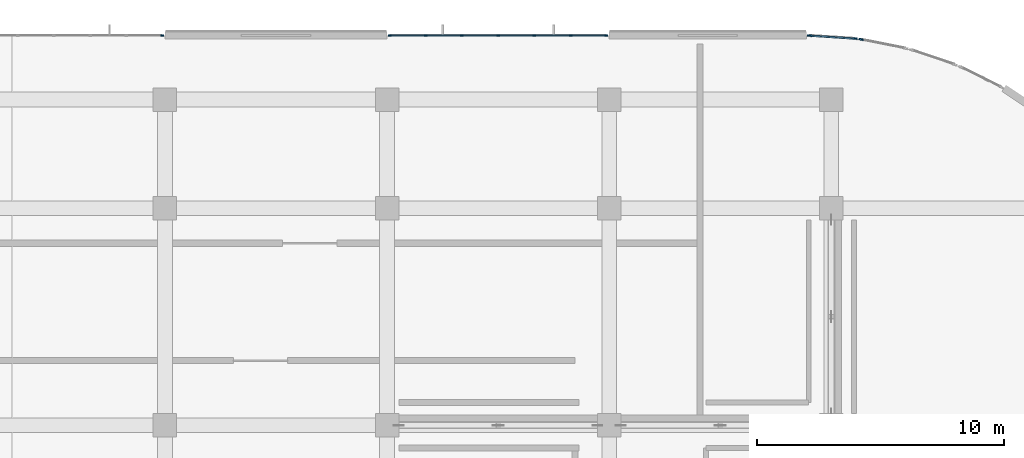
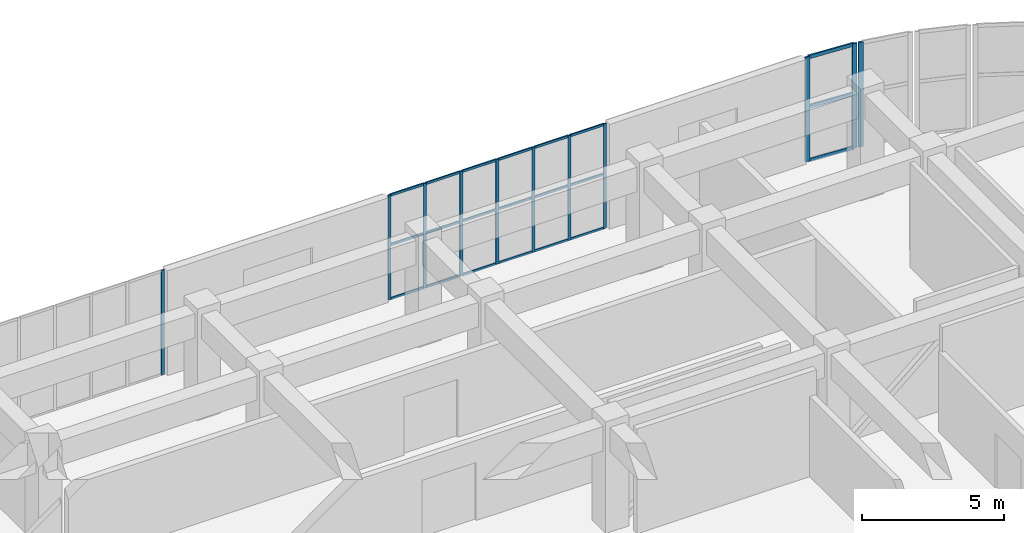
# One storey, part 41 of 86: 32 members, 4 elements without a shape of their own.
"""IFC4 building model written with IfcOpenShell, lengths in metres."""

from ifc_helpers import new_model, si_unit, direction, frame, origin, origin_2d, place, context, subcontext, project, spatial, rectangle, extrude, material, layer, layer_set, material_profile, profile_set, type_object, element, aggregate, save


model = new_model("IFC4")

# Units and contexts
model_context = context("Model", 3, precision=1e-05, world=origin(), true_north=direction((0.0, 1.0)))
body_context = subcontext(model_context, "Body", "Model", "MODEL_VIEW")
ifc_project = project(units=[si_unit("LENGTHUNIT", "METRE"), si_unit("AREAUNIT", "SQUARE_METRE"), si_unit("VOLUMEUNIT", "CUBIC_METRE"), si_unit("PLANEANGLEUNIT", "RADIAN"), si_unit("MASSUNIT", "GRAM", prefix="KILO")], contexts=[model_context])

# Site, building, storey
site_placement = place(None, origin())
site = spatial("IfcSite", under=ifc_project, at=site_placement, CompositionType="ELEMENT")
building_placement = place(site_placement, origin())
building = spatial("IfcBuilding", under=site, at=building_placement, Name="Cendralis Terraced Arcade", CompositionType="ELEMENT")
storey_placement = place(building_placement, frame((0.0, 0.0, 5.39990234375)))
storey = spatial("IfcBuildingStorey", under=building, at=storey_placement, Name="L01", CompositionType="ELEMENT", Elevation=5.39990234375)

# Curtain wall, member
ifc_material = material(Name="Anodised aluminium EN AW-6063 T6", Category="aluminium")
ifc_layer_1 = layer(ifc_material, 0.1201171875, Name="CW-STORE-B")
ifc_layer_set_1 = layer_set([ifc_layer_1], Name="Anodised aluminium EN AW-6063 T6")
curtain_wall_type_1 = type_object("IfcCurtainWallType", Name="CW-STORE-B", PredefinedType="USERDEFINED", material=ifc_layer_set_1)
curtain_wall_1_placement = place(storey_placement, origin())
curtain_wall_1 = element("IfcCurtainWall", 1, at=curtain_wall_1_placement, inside=storey, type_object=curtain_wall_type_1, Name="Exterior Storefront Glazing CW-L01-0054", ObjectType="STOREFRONT GLAZING", PredefinedType="USERDEFINED")
ifc_material_profile_1 = material_profile(ifc_material, rectangle(XDim=0.054931640625, YDim=0.1201171875, at=origin_2d()), Name="ALU-MUL-55x120")
ifc_profile_set_1 = profile_set([ifc_material_profile_1], Name="Anodised aluminium EN AW-6063 T6")
member_type_1 = type_object("IfcMemberType", Name="CW-STORE-B-MUL", PredefinedType="MULLION", material=ifc_profile_set_1)
member_1_placement = place(storey_placement, frame((130.08251953125, 114.199951171875, 0.0), z_axis=(0.0, 0.0, 1.0), x_axis=(0.0, 1.0, 0.0)))
member_1 = element("IfcMember", 2, at=member_1_placement, type_object=member_type_1, Name="CW-S2 mullion 7", PredefinedType="MULLION", context=body_context, shape_type="SweptSolid", body=[
    extrude(rectangle(XDim=0.054931640625, YDim=0.1201171875, at=origin_2d()), origin(), (0.0, 0.0, 1.0), 4.505126953125),
])
aggregate(curtain_wall_1, [member_1])

# Curtain wall, members
curtain_wall_2_placement = place(storey_placement, origin())
curtain_wall_2 = element("IfcCurtainWall", 3, at=curtain_wall_2_placement, inside=storey, type_object=curtain_wall_type_1, Name="Exterior Storefront Glazing CW-L01-0055", ObjectType="STOREFRONT GLAZING", PredefinedType="USERDEFINED")
member_2_placement = place(storey_placement, frame((139.3173828125, 114.199951171875, 0.0), z_axis=(0.0, 0.0, 1.0), x_axis=(0.0, 1.0, 0.0)))
member_2 = element("IfcMember", 4, at=member_2_placement, type_object=member_type_1, Name="CW-S2 mullion 1", PredefinedType="MULLION", context=body_context, shape_type="SweptSolid", body=[
    extrude(rectangle(XDim=0.054931640625, YDim=0.1201171875, at=origin_2d()), origin(), (0.0, 0.0, 1.0), 4.505126953125),
])
member_3_placement = place(storey_placement, frame((140.760009765625, 114.199951171875, 0.0), z_axis=(0.0, 0.0, 1.0), x_axis=(0.0, 1.0, 0.0)))
member_3 = element("IfcMember", 5, at=member_3_placement, type_object=member_type_1, Name="CW-S2 mullion 2", PredefinedType="MULLION", context=body_context, shape_type="SweptSolid", body=[
    extrude(rectangle(XDim=0.054931640625, YDim=0.1201171875, at=origin_2d()), origin(), (0.0, 0.0, 1.0), 4.505126953125),
])
member_4_placement = place(storey_placement, frame((142.22998046875, 114.199951171875, 0.0), z_axis=(0.0, 0.0, 1.0), x_axis=(0.0, 1.0, 0.0)))
member_4 = element("IfcMember", 6, at=member_4_placement, type_object=member_type_1, Name="CW-S2 mullion 3", PredefinedType="MULLION", context=body_context, shape_type="SweptSolid", body=[
    extrude(rectangle(XDim=0.054931640625, YDim=0.1201171875, at=origin_2d()), origin(), (0.0, 0.0, 1.0), 4.505126953125),
])
member_5_placement = place(storey_placement, frame((143.699951171875, 114.199951171875, 0.0), z_axis=(0.0, 0.0, 1.0), x_axis=(0.0, 1.0, 0.0)))
member_5 = element("IfcMember", 7, at=member_5_placement, type_object=member_type_1, Name="CW-S2 mullion 4", PredefinedType="MULLION", context=body_context, shape_type="SweptSolid", body=[
    extrude(rectangle(XDim=0.054931640625, YDim=0.1201171875, at=origin_2d()), origin(), (0.0, 0.0, 1.0), 4.505126953125),
])
member_6_placement = place(storey_placement, frame((145.169921875, 114.199951171875, 0.0), z_axis=(0.0, 0.0, 1.0), x_axis=(0.0, 1.0, 0.0)))
member_6 = element("IfcMember", 8, at=member_6_placement, type_object=member_type_1, Name="CW-S2 mullion 5", PredefinedType="MULLION", context=body_context, shape_type="SweptSolid", body=[
    extrude(rectangle(XDim=0.054931640625, YDim=0.1201171875, at=origin_2d()), origin(), (0.0, 0.0, 1.0), 4.505126953125),
])
member_7_placement = place(storey_placement, frame((146.639892578125, 114.199951171875, 0.0), z_axis=(0.0, 0.0, 1.0), x_axis=(0.0, 1.0, 0.0)))
member_7 = element("IfcMember", 9, at=member_7_placement, type_object=member_type_1, Name="CW-S2 mullion 6", PredefinedType="MULLION", context=body_context, shape_type="SweptSolid", body=[
    extrude(rectangle(XDim=0.054931640625, YDim=0.1201171875, at=origin_2d()), origin(), (0.0, 0.0, 1.0), 4.505126953125),
])
member_8_placement = place(storey_placement, frame((148.08251953125, 114.199951171875, 0.0), z_axis=(0.0, 0.0, 1.0), x_axis=(0.0, 1.0, 0.0)))
member_8 = element("IfcMember", 10, at=member_8_placement, type_object=member_type_1, Name="CW-S2 mullion 7", PredefinedType="MULLION", context=body_context, shape_type="SweptSolid", body=[
    extrude(rectangle(XDim=0.054931640625, YDim=0.1201171875, at=origin_2d()), origin(), (0.0, 0.0, 1.0), 4.505126953125),
])
ifc_material_profile_2 = material_profile(ifc_material, rectangle(XDim=0.054931640625, YDim=0.10009765625, at=origin_2d()), Name="ALU-TRN-55x100")
ifc_profile_set_2 = profile_set([ifc_material_profile_2], Name="Anodised aluminium EN AW-6063 T6")
member_type_2 = type_object("IfcMemberType", Name="CW-STORE-B-TRN", PredefinedType="USERDEFINED", material=ifc_profile_set_2)
member_9_placement = place(storey_placement, frame((139.344970703125, 114.199951171875, 0.027587890625), z_axis=(1.0, 0.0, 0.0), x_axis=(0.0, 1.0, 0.0)))
member_9 = element("IfcMember", 11, at=member_9_placement, type_object=member_type_2, Name="CW-S2 transom 1.1", ObjectType="TRANSOM", PredefinedType="USERDEFINED", context=body_context, shape_type="SweptSolid", body=[
    extrude(rectangle(XDim=0.054931640625, YDim=0.10009765625, at=origin_2d()), origin(), (0.0, 0.0, 1.0), 1.387451171875),
])
member_10_placement = place(storey_placement, frame((139.344970703125, 114.199951171875, 2.3427734375), z_axis=(1.0, 0.0, 0.0), x_axis=(0.0, 1.0, 0.0)))
member_10 = element("IfcMember", 12, at=member_10_placement, type_object=member_type_2, Name="CW-S2 transom 1.2", ObjectType="TRANSOM", PredefinedType="USERDEFINED", context=body_context, shape_type="SweptSolid", body=[
    extrude(rectangle(XDim=0.054931640625, YDim=0.10009765625, at=origin_2d()), origin(), (0.0, 0.0, 1.0), 1.387451171875),
])
member_11_placement = place(storey_placement, frame((139.344970703125, 114.199951171875, 4.4775390625), z_axis=(1.0, 0.0, 0.0), x_axis=(0.0, 1.0, 0.0)))
member_11 = element("IfcMember", 13, at=member_11_placement, type_object=member_type_2, Name="CW-S2 transom 1.3", ObjectType="TRANSOM", PredefinedType="USERDEFINED", context=body_context, shape_type="SweptSolid", body=[
    extrude(rectangle(XDim=0.054931640625, YDim=0.10009765625, at=origin_2d()), origin(), (0.0, 0.0, 1.0), 1.387451171875),
])
member_12_placement = place(storey_placement, frame((140.78759765625, 114.199951171875, 0.027587890625), z_axis=(1.0, 0.0, 0.0), x_axis=(0.0, 1.0, 0.0)))
member_12 = element("IfcMember", 14, at=member_12_placement, type_object=member_type_2, Name="CW-S2 transom 2.1", ObjectType="TRANSOM", PredefinedType="USERDEFINED", context=body_context, shape_type="SweptSolid", body=[
    extrude(rectangle(XDim=0.054931640625, YDim=0.10009765625, at=origin_2d()), origin(), (0.0, 0.0, 1.0), 1.414794921875),
])
member_13_placement = place(storey_placement, frame((140.78759765625, 114.199951171875, 2.3427734375), z_axis=(1.0, 0.0, 0.0), x_axis=(0.0, 1.0, 0.0)))
member_13 = element("IfcMember", 15, at=member_13_placement, type_object=member_type_2, Name="CW-S2 transom 2.2", ObjectType="TRANSOM", PredefinedType="USERDEFINED", context=body_context, shape_type="SweptSolid", body=[
    extrude(rectangle(XDim=0.054931640625, YDim=0.10009765625, at=origin_2d()), origin(), (0.0, 0.0, 1.0), 1.414794921875),
])
member_14_placement = place(storey_placement, frame((140.78759765625, 114.199951171875, 4.4775390625), z_axis=(1.0, 0.0, 0.0), x_axis=(0.0, 1.0, 0.0)))
member_14 = element("IfcMember", 16, at=member_14_placement, type_object=member_type_2, Name="CW-S2 transom 2.3", ObjectType="TRANSOM", PredefinedType="USERDEFINED", context=body_context, shape_type="SweptSolid", body=[
    extrude(rectangle(XDim=0.054931640625, YDim=0.10009765625, at=origin_2d()), origin(), (0.0, 0.0, 1.0), 1.414794921875),
])
member_15_placement = place(storey_placement, frame((142.257568359375, 114.199951171875, 0.027587890625), z_axis=(1.0, 0.0, 0.0), x_axis=(0.0, 1.0, 0.0)))
member_15 = element("IfcMember", 17, at=member_15_placement, type_object=member_type_2, Name="CW-S2 transom 3.1", ObjectType="TRANSOM", PredefinedType="USERDEFINED", context=body_context, shape_type="SweptSolid", body=[
    extrude(rectangle(XDim=0.054931640625, YDim=0.10009765625, at=origin_2d()), origin(), (0.0, 0.0, 1.0), 1.4150390625),
])
member_16_placement = place(storey_placement, frame((142.257568359375, 114.199951171875, 2.3427734375), z_axis=(1.0, 0.0, 0.0), x_axis=(0.0, 1.0, 0.0)))
member_16 = element("IfcMember", 18, at=member_16_placement, type_object=member_type_2, Name="CW-S2 transom 3.2", ObjectType="TRANSOM", PredefinedType="USERDEFINED", context=body_context, shape_type="SweptSolid", body=[
    extrude(rectangle(XDim=0.054931640625, YDim=0.10009765625, at=origin_2d()), origin(), (0.0, 0.0, 1.0), 1.4150390625),
])
member_17_placement = place(storey_placement, frame((142.257568359375, 114.199951171875, 4.4775390625), z_axis=(1.0, 0.0, 0.0), x_axis=(0.0, 1.0, 0.0)))
member_17 = element("IfcMember", 19, at=member_17_placement, type_object=member_type_2, Name="CW-S2 transom 3.3", ObjectType="TRANSOM", PredefinedType="USERDEFINED", context=body_context, shape_type="SweptSolid", body=[
    extrude(rectangle(XDim=0.054931640625, YDim=0.10009765625, at=origin_2d()), origin(), (0.0, 0.0, 1.0), 1.4150390625),
])
member_18_placement = place(storey_placement, frame((143.7275390625, 114.199951171875, 0.027587890625), z_axis=(1.0, 0.0, 0.0), x_axis=(0.0, 1.0, 0.0)))
member_18 = element("IfcMember", 20, at=member_18_placement, type_object=member_type_2, Name="CW-S2 transom 4.1", ObjectType="TRANSOM", PredefinedType="USERDEFINED", context=body_context, shape_type="SweptSolid", body=[
    extrude(rectangle(XDim=0.054931640625, YDim=0.10009765625, at=origin_2d()), origin(), (0.0, 0.0, 1.0), 1.4150390625),
])
member_19_placement = place(storey_placement, frame((143.7275390625, 114.199951171875, 2.3427734375), z_axis=(1.0, 0.0, 0.0), x_axis=(0.0, 1.0, 0.0)))
member_19 = element("IfcMember", 21, at=member_19_placement, type_object=member_type_2, Name="CW-S2 transom 4.2", ObjectType="TRANSOM", PredefinedType="USERDEFINED", context=body_context, shape_type="SweptSolid", body=[
    extrude(rectangle(XDim=0.054931640625, YDim=0.10009765625, at=origin_2d()), origin(), (0.0, 0.0, 1.0), 1.4150390625),
])
member_20_placement = place(storey_placement, frame((143.7275390625, 114.199951171875, 4.4775390625), z_axis=(1.0, 0.0, 0.0), x_axis=(0.0, 1.0, 0.0)))
member_20 = element("IfcMember", 22, at=member_20_placement, type_object=member_type_2, Name="CW-S2 transom 4.3", ObjectType="TRANSOM", PredefinedType="USERDEFINED", context=body_context, shape_type="SweptSolid", body=[
    extrude(rectangle(XDim=0.054931640625, YDim=0.10009765625, at=origin_2d()), origin(), (0.0, 0.0, 1.0), 1.4150390625),
])
member_21_placement = place(storey_placement, frame((145.197509765625, 114.199951171875, 0.027587890625), z_axis=(1.0, 0.0, 0.0), x_axis=(0.0, 1.0, 0.0)))
member_21 = element("IfcMember", 23, at=member_21_placement, type_object=member_type_2, Name="CW-S2 transom 5.1", ObjectType="TRANSOM", PredefinedType="USERDEFINED", context=body_context, shape_type="SweptSolid", body=[
    extrude(rectangle(XDim=0.054931640625, YDim=0.10009765625, at=origin_2d()), origin(), (0.0, 0.0, 1.0), 1.4150390625),
])
member_22_placement = place(storey_placement, frame((145.197509765625, 114.199951171875, 2.3427734375), z_axis=(1.0, 0.0, 0.0), x_axis=(0.0, 1.0, 0.0)))
member_22 = element("IfcMember", 24, at=member_22_placement, type_object=member_type_2, Name="CW-S2 transom 5.2", ObjectType="TRANSOM", PredefinedType="USERDEFINED", context=body_context, shape_type="SweptSolid", body=[
    extrude(rectangle(XDim=0.054931640625, YDim=0.10009765625, at=origin_2d()), origin(), (0.0, 0.0, 1.0), 1.4150390625),
])
member_23_placement = place(storey_placement, frame((145.197509765625, 114.199951171875, 4.4775390625), z_axis=(1.0, 0.0, 0.0), x_axis=(0.0, 1.0, 0.0)))
member_23 = element("IfcMember", 25, at=member_23_placement, type_object=member_type_2, Name="CW-S2 transom 5.3", ObjectType="TRANSOM", PredefinedType="USERDEFINED", context=body_context, shape_type="SweptSolid", body=[
    extrude(rectangle(XDim=0.054931640625, YDim=0.10009765625, at=origin_2d()), origin(), (0.0, 0.0, 1.0), 1.4150390625),
])
member_24_placement = place(storey_placement, frame((146.66748046875, 114.199951171875, 0.027587890625), z_axis=(1.0, 0.0, 0.0), x_axis=(0.0, 1.0, 0.0)))
member_24 = element("IfcMember", 26, at=member_24_placement, type_object=member_type_2, Name="CW-S2 transom 6.1", ObjectType="TRANSOM", PredefinedType="USERDEFINED", context=body_context, shape_type="SweptSolid", body=[
    extrude(rectangle(XDim=0.054931640625, YDim=0.10009765625, at=origin_2d()), origin(), (0.0, 0.0, 1.0), 1.387451171875),
])
member_25_placement = place(storey_placement, frame((146.66748046875, 114.199951171875, 2.3427734375), z_axis=(1.0, 0.0, 0.0), x_axis=(0.0, 1.0, 0.0)))
member_25 = element("IfcMember", 27, at=member_25_placement, type_object=member_type_2, Name="CW-S2 transom 6.2", ObjectType="TRANSOM", PredefinedType="USERDEFINED", context=body_context, shape_type="SweptSolid", body=[
    extrude(rectangle(XDim=0.054931640625, YDim=0.10009765625, at=origin_2d()), origin(), (0.0, 0.0, 1.0), 1.387451171875),
])
member_26_placement = place(storey_placement, frame((146.66748046875, 114.199951171875, 4.4775390625), z_axis=(1.0, 0.0, 0.0), x_axis=(0.0, 1.0, 0.0)))
member_26 = element("IfcMember", 28, at=member_26_placement, type_object=member_type_2, Name="CW-S2 transom 6.3", ObjectType="TRANSOM", PredefinedType="USERDEFINED", context=body_context, shape_type="SweptSolid", body=[
    extrude(rectangle(XDim=0.054931640625, YDim=0.10009765625, at=origin_2d()), origin(), (0.0, 0.0, 1.0), 1.387451171875),
])
aggregate(curtain_wall_2, [member_2, member_3, member_4, member_5, member_6, member_7, member_8, member_9, member_10, member_11, member_12, member_13, member_14, member_15, member_16, member_17, member_18, member_19, member_20, member_21, member_22, member_23, member_24, member_25, member_26])

ifc_layer_2 = layer(ifc_material, 0.179931640625, Name="CW-UNIT-A")
ifc_layer_set_2 = layer_set([ifc_layer_2], Name="Anodised aluminium EN AW-6063 T6")
curtain_wall_type_2 = type_object("IfcCurtainWallType", Name="CW-UNIT-A", PredefinedType="USERDEFINED", material=ifc_layer_set_2)
curtain_wall_3_placement = place(storey_placement, origin())
curtain_wall_3 = element("IfcCurtainWall", 29, at=curtain_wall_3_placement, inside=storey, type_object=curtain_wall_type_2, Name="Exterior Unitised Facade CW-L01-0056", ObjectType="UNITISED FACADE", PredefinedType="USERDEFINED")
ifc_material_profile_3 = material_profile(ifc_material, rectangle(XDim=0.06494140625, YDim=0.179931640625, at=origin_2d()), Name="ALU-MUL-65x180")
ifc_profile_set_3 = profile_set([ifc_material_profile_3], Name="Anodised aluminium EN AW-6063 T6")
member_type_3 = type_object("IfcMemberType", Name="CW-UNIT-A-MUL", PredefinedType="MULLION", material=ifc_profile_set_3)
member_27_placement = place(storey_placement, frame((156.322265625, 114.19189453125, 0.0), z_axis=(0.0, 0.0, 1.0), x_axis=(0.065398256097, 0.997859242629, 0.0)))
member_27 = element("IfcMember", 30, at=member_27_placement, type_object=member_type_3, Name="CW-U1 mullion 1", PredefinedType="MULLION", context=body_context, shape_type="SweptSolid", body=[
    extrude(rectangle(XDim=0.06494140625, YDim=0.179931640625, at=origin_2d()), origin(), (0.0, 0.0, 1.0), 4.505126953125),
])
member_28_placement = place(storey_placement, frame((158.166259765625, 114.071044921875, 0.0), z_axis=(0.0, 0.0, 1.0), x_axis=(0.065398256097, 0.997859242629, 0.0)))
member_28 = element("IfcMember", 31, at=member_28_placement, type_object=member_type_3, Name="CW-U1 mullion 2", PredefinedType="MULLION", context=body_context, shape_type="SweptSolid", body=[
    extrude(rectangle(XDim=0.06494140625, YDim=0.179931640625, at=origin_2d()), origin(), (0.0, 0.0, 1.0), 4.505126953125),
])

# Curtain wall, member
curtain_wall_4_placement = place(storey_placement, origin())
curtain_wall_4 = element("IfcCurtainWall", 32, at=curtain_wall_4_placement, inside=storey, type_object=curtain_wall_type_2, Name="Exterior Unitised Facade CW-L01-0057", ObjectType="UNITISED FACADE", PredefinedType="USERDEFINED")
member_29_placement = place(storey_placement, frame((158.40869140625, 114.0390625, 0.0), z_axis=(0.0, 0.0, 1.0), x_axis=(0.195050346244, 0.980793231232, 0.0)))
member_29 = element("IfcMember", 33, at=member_29_placement, type_object=member_type_3, Name="CW-U1 mullion 1", PredefinedType="MULLION", context=body_context, shape_type="SweptSolid", body=[
    extrude(rectangle(XDim=0.06494140625, YDim=0.179931640625, at=origin_2d()), origin(), (0.0, 0.0, 1.0), 4.505126953125),
])
aggregate(curtain_wall_4, [member_29])

# Member
ifc_material_profile_4 = material_profile(ifc_material, rectangle(XDim=0.06494140625, YDim=0.14990234375, at=origin_2d()), Name="ALU-TRN-65x150")
ifc_profile_set_4 = profile_set([ifc_material_profile_4], Name="Anodised aluminium EN AW-6063 T6")
member_type_4 = type_object("IfcMemberType", Name="CW-UNIT-A-TRN", PredefinedType="USERDEFINED", material=ifc_profile_set_4)
member_30_placement = place(storey_placement, frame((156.354736328125, 114.18994140625, 0.03271484375), z_axis=(0.997855483064, -0.065455595019, 0.0), x_axis=(0.065455595019, 0.997855483064, 0.0)))
member_30 = element("IfcMember", 34, at=member_30_placement, type_object=member_type_4, Name="CW-U1 transom 1.1", ObjectType="TRANSOM", PredefinedType="USERDEFINED", context=body_context, shape_type="SweptSolid", body=[
    extrude(rectangle(XDim=0.06494140625, YDim=0.14990234375, at=origin_2d()), origin(), (0.0, 0.0, 1.0), 1.782958984375),
])

member_31_placement = place(storey_placement, frame((156.354736328125, 114.18994140625, 2.3427734375), z_axis=(0.997855483064, -0.065455595019, 0.0), x_axis=(0.065455595019, 0.997855483064, 0.0)))
member_31 = element("IfcMember", 35, at=member_31_placement, type_object=member_type_4, Name="CW-U1 transom 1.2", ObjectType="TRANSOM", PredefinedType="USERDEFINED", context=body_context, shape_type="SweptSolid", body=[
    extrude(rectangle(XDim=0.06494140625, YDim=0.14990234375, at=origin_2d()), origin(), (0.0, 0.0, 1.0), 1.782958984375),
])

member_32_placement = place(storey_placement, frame((156.354736328125, 114.18994140625, 4.47265625), z_axis=(0.997855483064, -0.065455595019, 0.0), x_axis=(0.065455595019, 0.997855483064, 0.0)))
member_32 = element("IfcMember", 36, at=member_32_placement, type_object=member_type_4, Name="CW-U1 transom 1.3", ObjectType="TRANSOM", PredefinedType="USERDEFINED", context=body_context, shape_type="SweptSolid", body=[
    extrude(rectangle(XDim=0.06494140625, YDim=0.14990234375, at=origin_2d()), origin(), (0.0, 0.0, 1.0), 1.782958984375),
])

aggregate(curtain_wall_3, [member_27, member_28, member_30, member_31, member_32])

save(model, "model.ifc")
